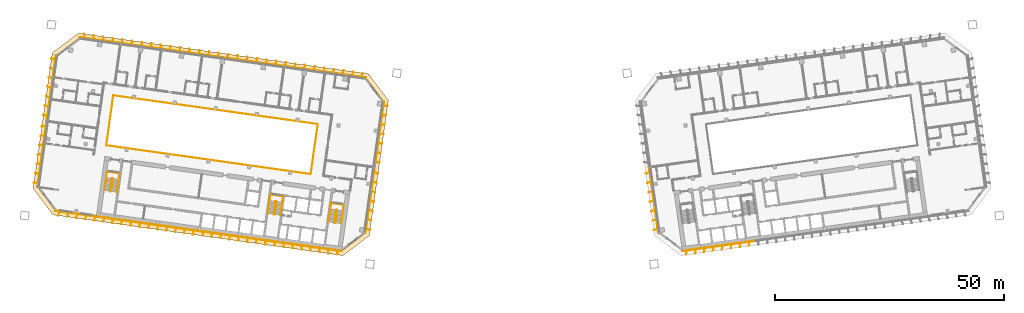
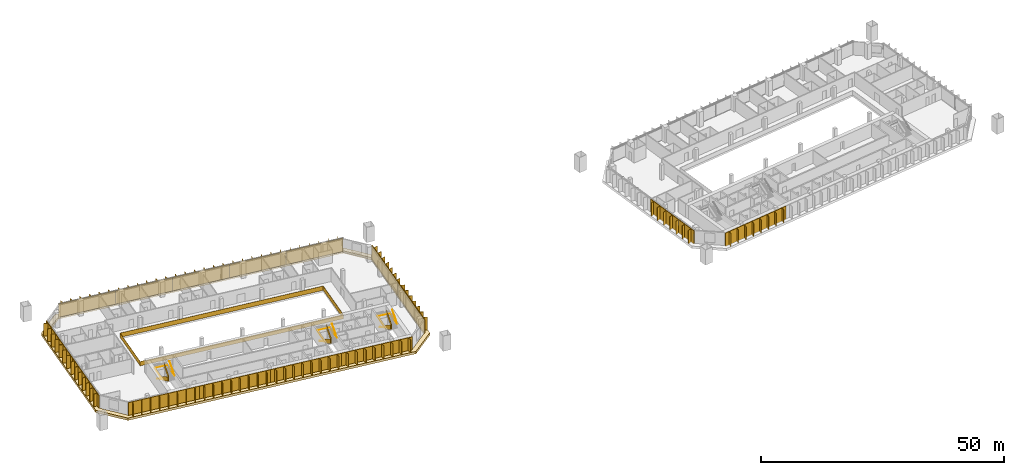
# One storey, part 23 of 24: 15 shading devices, 7 railings, 1 covering.
"""IFC4 building model written with IfcOpenShell, lengths in metres."""

from ifc_helpers import new_model, si_unit, direction, frame, origin, origin_2d, place, context, subcontext, project, spatial, polyline, rectangle, outline, extrude, material, layer, layer_set, type_object, element, save


model = new_model("IFC4")

# Units and contexts
model_context = context("Model", 3, precision=1e-05, world=origin(), true_north=direction((0.0, 1.0)))
body_context = subcontext(model_context, "Body", "Model", "MODEL_VIEW")
ifc_project = project(units=[si_unit("LENGTHUNIT", "METRE"), si_unit("AREAUNIT", "SQUARE_METRE"), si_unit("VOLUMEUNIT", "CUBIC_METRE"), si_unit("PLANEANGLEUNIT", "RADIAN"), si_unit("MASSUNIT", "GRAM", prefix="KILO")], contexts=[model_context])

# Site, building, storey
site_placement = place(None, origin())
site = spatial("IfcSite", under=ifc_project, at=site_placement, CompositionType="ELEMENT")
building_placement = place(site_placement, origin())
building = spatial("IfcBuilding", under=site, at=building_placement, Name="Mirante Cascada Hotel Towers", CompositionType="ELEMENT")
storey_placement = place(building_placement, frame((0.0, 0.0, 81.3)))
storey = spatial("IfcBuildingStorey", under=building, at=storey_placement, Name="L17", CompositionType="ELEMENT", Elevation=81.3)

# Railing
ifc_material_1 = material(Name="Toughened glass with stainless steel handrail", Category="steel")
railing_type_1 = type_object("IfcRailingType", Name="Atrium guard 1100 glass balustrade", PredefinedType="GUARDRAIL", material=ifc_material_1)
railing_1_placement = place(storey_placement, frame((-43.8418, -3.4881, 0.0)))
element("IfcRailing", 1, at=railing_1_placement, inside=storey, type_object=railing_type_1, Name="GUARD 1-L17-1", PredefinedType="GUARDRAIL", context=body_context, shape_type="SweptSolid", body=[
    extrude(rectangle(XDim=0.048, YDim=0.048, at=origin_2d()), frame((0.0, 0.0, 1.076), z_axis=(-0.9902681, 0.1391732, 0.0), x_axis=(-0.1391732, -0.9902681, 0.0)), (0.0, 0.0, 1.0), 45.0),
    extrude(rectangle(XDim=0.02, YDim=1.052, at=origin_2d()), frame((0.0, 0.0, 0.526), z_axis=(-0.9902681, 0.1391732, 0.0), x_axis=(-0.1391732, -0.9902681, 0.0)), (0.0, 0.0, 1.0), 45.0),
    extrude(rectangle(XDim=0.048, YDim=0.048, at=origin_2d()), frame((-44.5621, 6.2628, 1.076), z_axis=(0.1391721, 0.9902682, 0.0), x_axis=(-0.9902682, 0.1391721, 0.0)), (0.0, 0.0, 1.0), 11.0001),
    extrude(rectangle(XDim=0.02, YDim=1.052, at=origin_2d()), frame((-44.5621, 6.2628, 0.526), z_axis=(0.1391721, 0.9902682, 0.0), x_axis=(-0.9902682, 0.1391721, 0.0)), (0.0, 0.0, 1.0), 11.0001),
    extrude(rectangle(XDim=0.048, YDim=0.048, at=origin_2d()), frame((-43.0312, 17.1558, 1.076), z_axis=(0.9902681, -0.1391732, 0.0), x_axis=(0.1391732, 0.9902681, 0.0)), (0.0, 0.0, 1.0), 45.0),
    extrude(rectangle(XDim=0.02, YDim=1.052, at=origin_2d()), frame((-43.0312, 17.1558, 0.526), z_axis=(0.9902681, -0.1391732, 0.0), x_axis=(0.1391732, 0.9902681, 0.0)), (0.0, 0.0, 1.0), 45.0),
    extrude(rectangle(XDim=0.048, YDim=0.048, at=origin_2d()), frame((1.5309, 10.893, 1.076), z_axis=(-0.1391721, -0.9902682, 0.0), x_axis=(0.9902682, -0.1391721, 0.0)), (0.0, 0.0, 1.0), 11.0001),
    extrude(rectangle(XDim=0.02, YDim=1.052, at=origin_2d()), frame((1.5309, 10.893, 0.526), z_axis=(-0.1391721, -0.9902682, 0.0), x_axis=(0.9902682, -0.1391721, 0.0)), (0.0, 0.0, 1.0), 11.0001),
])

# Covering
ifc_material_2 = material(Name="Precast concrete C40/50 white", Category="concrete")
ifc_layer = layer(ifc_material_2, 0.6)
ifc_layer_set = layer_set([ifc_layer], Name="Precast concrete SUNSHADE band 1000x600")
covering_type = type_object("IfcCoveringType", Name="Precast concrete SUNSHADE band 1000x600", PredefinedType="CLADDING", material=ifc_layer_set)
covering_placement = place(storey_placement, frame((0.0, 0.0, -0.45)))
element("IfcCovering", 2, at=covering_placement, inside=storey, type_object=covering_type, Name="Precast concrete SUNSHADE band T1 L17", PredefinedType="CLADDING", context=body_context, shape_type="SweptSolid", body=[
    extrude(outline(polyline([(-104.3652, -6.6094), (-100.2139, 22.9287), (-94.4698, 27.2572), (-31.2626, 18.374), (-26.9341, 12.6299), (-31.0854, -16.9082), (-36.8295, -21.2367), (-100.0367, -12.3535), (-104.3652, -6.6094)]), holes=[polyline([(-27.982, 12.3589), (-31.8119, 17.4414), (-94.1988, 26.2093), (-99.2813, 22.3794), (-103.3173, -6.3384), (-99.4874, -11.4209), (-37.1005, -20.1888), (-32.018, -16.3589), (-27.982, 12.3589)])]), origin(), (0.0, 0.0, 1.0), 0.6),
])

# Railings
ifc_material_3 = material(Name="Painted steel", Category="steel")
railing_type_2 = type_object("IfcRailingType", Name="Stair guard 1100 steel balustrade", PredefinedType="GUARDRAIL", material=ifc_material_3)
railing_2_placement = place(storey_placement, frame((-38.1178, -11.2603, 0.0)))
element("IfcRailing", 3, at=railing_2_placement, inside=storey, type_object=railing_type_2, Name="L17 ST1-A stair guard 1", PredefinedType="GUARDRAIL", context=body_context, shape_type="SweptSolid", body=[
    extrude(rectangle(XDim=0.048, YDim=0.048, at=origin_2d()), frame((0.0, 0.0, 1.076), z_axis=(-0.9903326, 0.1387133, 0.0), x_axis=(-0.1387133, -0.9903326, 0.0)), (0.0, 0.0, 1.0), 0.1499),
    extrude(rectangle(XDim=0.02, YDim=1.052, at=origin_2d()), frame((0.0, 0.0, 0.526), z_axis=(-0.9903326, 0.1387133, 0.0), x_axis=(-0.1387133, -0.9903326, 0.0)), (0.0, 0.0, 1.0), 0.1499),
    extrude(rectangle(XDim=0.048, YDim=0.048, at=origin_2d()), frame((-0.1485, 0.0208, 1.076), z_axis=(-0.7991505, -0.6011309, 0.0), x_axis=(0.6011309, -0.7991505, 0.0)), (0.0, 0.9254529, 0.3788627), 0.1866),
    extrude(rectangle(XDim=0.02, YDim=1.052, at=origin_2d()), frame((-0.1485, 0.0208, 0.526), z_axis=(-0.7991505, -0.6011309, 0.0), x_axis=(0.6011309, -0.7991505, 0.0)), (0.0, 0.9254529, 0.3788627), 0.1866),
    extrude(rectangle(XDim=0.048, YDim=0.048, at=origin_2d()), frame((-0.205, -0.0217, 1.2487), z_axis=(-0.139176, -0.9902677, 0.0), x_axis=(0.9902677, -0.139176, 0.0)), (0.0, 0.5250212, 0.8510891), 3.29),
    extrude(rectangle(XDim=0.02, YDim=1.052, at=origin_2d()), frame((-0.205, -0.0217, 0.6987), z_axis=(-0.139176, -0.9902677, 0.0), x_axis=(0.9902677, -0.139176, 0.0)), (0.0, 0.5250212, 0.8510891), 3.29),
    extrude(rectangle(XDim=0.048, YDim=0.048, at=origin_2d()), frame((-0.5947, -2.7945, 2.976), z_axis=(0.9270311, -0.3749843, 0.0), x_axis=(0.3749843, 0.9270311, 0.0)), (0.0, 0.0, 1.0), 0.2061),
    extrude(rectangle(XDim=0.02, YDim=1.052, at=origin_2d()), frame((-0.5947, -2.7945, 2.426), z_axis=(0.9270311, -0.3749843, 0.0), x_axis=(0.3749843, 0.9270311, 0.0)), (0.0, 0.0, 1.0), 0.2061),
    extrude(rectangle(XDim=0.048, YDim=0.048, at=origin_2d()), frame((-0.4036, -2.8718, 2.976), z_axis=(-0.9902408, 0.1393672, 0.0), x_axis=(-0.1393672, -0.9902408, 0.0)), (0.0, 0.0, 1.0), 0.15),
    extrude(rectangle(XDim=0.02, YDim=1.052, at=origin_2d()), frame((-0.4036, -2.8718, 2.426), z_axis=(-0.9902408, 0.1393672, 0.0), x_axis=(-0.1393672, -0.9902408, 0.0)), (0.0, 0.0, 1.0), 0.15),
    extrude(rectangle(XDim=0.048, YDim=0.048, at=origin_2d()), frame((-0.5521, -2.8509, 2.976), z_axis=(0.9944948, 0.1047858, 0.0), x_axis=(-0.1047858, 0.9944948, 0.0)), (0.0, 0.6422034, 0.7665343), 0.2689),
    extrude(rectangle(XDim=0.02, YDim=1.052, at=origin_2d()), frame((-0.5521, -2.8509, 2.426), z_axis=(0.9944948, 0.1047858, 0.0), x_axis=(-0.1047858, 0.9944948, 0.0)), (0.0, 0.6422034, 0.7665343), 0.2689),
    extrude(rectangle(XDim=0.048, YDim=0.048, at=origin_2d()), frame((-0.3471, -2.8293, 3.1487), z_axis=(0.139176, 0.9902677, 0.0), x_axis=(-0.9902677, 0.139176, 0.0)), (0.0, 0.5250212, 0.8510891), 3.29),
    extrude(rectangle(XDim=0.02, YDim=1.052, at=origin_2d()), frame((-0.3471, -2.8293, 2.5987), z_axis=(0.139176, 0.9902677, 0.0), x_axis=(-0.9902677, 0.139176, 0.0)), (0.0, 0.5250212, 0.8510891), 3.29),
])
railing_3_placement = place(storey_placement, frame((-51.3379, -9.4024, 0.0)))
element("IfcRailing", 4, at=railing_3_placement, inside=storey, type_object=railing_type_2, Name="L17 ST1-B stair guard 1", PredefinedType="GUARDRAIL", context=body_context, shape_type="SweptSolid", body=[
    extrude(rectangle(XDim=0.048, YDim=0.048, at=origin_2d()), frame((0.0, 0.0, 1.076), z_axis=(-0.9902408, 0.1393672, 0.0), x_axis=(-0.1393672, -0.9902408, 0.0)), (0.0, 0.0, 1.0), 0.15),
    extrude(rectangle(XDim=0.02, YDim=1.052, at=origin_2d()), frame((0.0, 0.0, 0.526), z_axis=(-0.9902408, 0.1393672, 0.0), x_axis=(-0.1393672, -0.9902408, 0.0)), (0.0, 0.0, 1.0), 0.15),
    extrude(rectangle(XDim=0.048, YDim=0.048, at=origin_2d()), frame((-0.1485, 0.0209, 1.076), z_axis=(-0.7984711, -0.6020331, 0.0), x_axis=(0.6020331, -0.7984711, 0.0)), (0.0, 0.9253398, 0.3791387), 0.1866),
    extrude(rectangle(XDim=0.02, YDim=1.052, at=origin_2d()), frame((-0.1485, 0.0209, 0.526), z_axis=(-0.7984711, -0.6020331, 0.0), x_axis=(0.6020331, -0.7984711, 0.0)), (0.0, 0.9253398, 0.3791387), 0.1866),
    extrude(rectangle(XDim=0.048, YDim=0.048, at=origin_2d()), frame((-0.205, -0.0217, 1.2487), z_axis=(-0.139181, -0.990267, 0.0), x_axis=(0.990267, -0.139181, 0.0)), (0.0, 0.5250347, 0.8510808), 3.2899),
    extrude(rectangle(XDim=0.02, YDim=1.052, at=origin_2d()), frame((-0.205, -0.0217, 0.6987), z_axis=(-0.139181, -0.990267, 0.0), x_axis=(0.990267, -0.139181, 0.0)), (0.0, 0.5250347, 0.8510808), 3.2899),
    extrude(rectangle(XDim=0.048, YDim=0.048, at=origin_2d()), frame((-0.5947, -2.7944, 2.976), z_axis=(0.9268624, -0.3754011, 0.0), x_axis=(0.3754011, 0.9268624, 0.0)), (0.0, 0.0, 1.0), 0.2062),
    extrude(rectangle(XDim=0.02, YDim=1.052, at=origin_2d()), frame((-0.5947, -2.7944, 2.426), z_axis=(0.9268624, -0.3754011, 0.0), x_axis=(0.3754011, 0.9268624, 0.0)), (0.0, 0.0, 1.0), 0.2062),
    extrude(rectangle(XDim=0.048, YDim=0.048, at=origin_2d()), frame((-0.4036, -2.8718, 2.976), z_axis=(-0.9902408, 0.1393672, 0.0), x_axis=(-0.1393672, -0.9902408, 0.0)), (0.0, 0.0, 1.0), 0.15),
    extrude(rectangle(XDim=0.02, YDim=1.052, at=origin_2d()), frame((-0.4036, -2.8718, 2.426), z_axis=(-0.9902408, 0.1393672, 0.0), x_axis=(-0.1393672, -0.9902408, 0.0)), (0.0, 0.0, 1.0), 0.15),
    extrude(rectangle(XDim=0.048, YDim=0.048, at=origin_2d()), frame((-0.5521, -2.8509, 2.976), z_axis=(0.9944441, 0.1052656, 0.0), x_axis=(-0.1052656, 0.9944441, 0.0)), (0.0, 0.6421842, 0.7665504), 0.2689),
    extrude(rectangle(XDim=0.02, YDim=1.052, at=origin_2d()), frame((-0.5521, -2.8509, 2.426), z_axis=(0.9944441, 0.1052656, 0.0), x_axis=(-0.1052656, 0.9944441, 0.0)), (0.0, 0.6421842, 0.7665504), 0.2689),
    extrude(rectangle(XDim=0.048, YDim=0.048, at=origin_2d()), frame((-0.3471, -2.8292, 3.1487), z_axis=(0.139181, 0.990267, 0.0), x_axis=(-0.990267, 0.139181, 0.0)), (0.0, 0.5250347, 0.8510808), 3.2899),
    extrude(rectangle(XDim=0.02, YDim=1.052, at=origin_2d()), frame((-0.3471, -2.8292, 2.5987), z_axis=(0.139181, 0.990267, 0.0), x_axis=(-0.990267, 0.139181, 0.0)), (0.0, 0.5250347, 0.8510808), 3.2899),
])
railing_4_placement = place(storey_placement, frame((-86.9875, -4.3922, 0.0)))
element("IfcRailing", 5, at=railing_4_placement, inside=storey, type_object=railing_type_2, Name="L17 ST1-C stair guard 1", PredefinedType="GUARDRAIL", context=body_context, shape_type="SweptSolid", body=[
    extrude(rectangle(XDim=0.048, YDim=0.048, at=origin_2d()), frame((0.0, 0.0, 1.076), z_axis=(-0.9902537, 0.1392753, 0.0), x_axis=(-0.1392753, -0.9902537, 0.0)), (0.0, 0.0, 1.0), 0.1501),
    extrude(rectangle(XDim=0.02, YDim=1.052, at=origin_2d()), frame((0.0, 0.0, 0.526), z_axis=(-0.9902537, 0.1392753, 0.0), x_axis=(-0.1392753, -0.9902537, 0.0)), (0.0, 0.0, 1.0), 0.1501),
    extrude(rectangle(XDim=0.048, YDim=0.048, at=origin_2d()), frame((-0.1486, 0.0209, 1.076), z_axis=(-0.7986386, -0.601811, 0.0), x_axis=(0.601811, -0.7986386, 0.0)), (0.0, 0.925603, 0.3784959), 0.1866),
    extrude(rectangle(XDim=0.02, YDim=1.052, at=origin_2d()), frame((-0.1486, 0.0209, 0.526), z_axis=(-0.7986386, -0.601811, 0.0), x_axis=(0.601811, -0.7986386, 0.0)), (0.0, 0.925603, 0.3784959), 0.1866),
    extrude(rectangle(XDim=0.048, YDim=0.048, at=origin_2d()), frame((-0.205, -0.0216, 1.2487), z_axis=(-0.139176, -0.9902677, 0.0), x_axis=(0.9902677, -0.139176, 0.0)), (0.0, 0.5250212, 0.8510891), 3.29),
    extrude(rectangle(XDim=0.02, YDim=1.052, at=origin_2d()), frame((-0.205, -0.0216, 0.6987), z_axis=(-0.139176, -0.9902677, 0.0), x_axis=(0.9902677, -0.139176, 0.0)), (0.0, 0.5250212, 0.8510891), 3.29),
    extrude(rectangle(XDim=0.048, YDim=0.048, at=origin_2d()), frame((-0.5947, -2.7944, 2.976), z_axis=(0.9270311, -0.3749843, 0.0), x_axis=(0.3749843, 0.9270311, 0.0)), (0.0, 0.0, 1.0), 0.2061),
    extrude(rectangle(XDim=0.02, YDim=1.052, at=origin_2d()), frame((-0.5947, -2.7944, 2.426), z_axis=(0.9270311, -0.3749843, 0.0), x_axis=(0.3749843, 0.9270311, 0.0)), (0.0, 0.0, 1.0), 0.2061),
    extrude(rectangle(XDim=0.048, YDim=0.048, at=origin_2d()), frame((-0.4036, -2.8717, 2.976), z_axis=(-0.9903454, 0.1386217, 0.0), x_axis=(-0.1386217, -0.9903454, 0.0)), (0.0, 0.0, 1.0), 0.15),
    extrude(rectangle(XDim=0.02, YDim=1.052, at=origin_2d()), frame((-0.4036, -2.8717, 2.426), z_axis=(-0.9903454, 0.1386217, 0.0), x_axis=(-0.1386217, -0.9903454, 0.0)), (0.0, 0.0, 1.0), 0.15),
    extrude(rectangle(XDim=0.048, YDim=0.048, at=origin_2d()), frame((-0.5522, -2.8509, 2.976), z_axis=(0.9944441, 0.1052656, 0.0), x_axis=(-0.1052656, 0.9944441, 0.0)), (0.0, 0.6421842, 0.7665504), 0.2689),
    extrude(rectangle(XDim=0.02, YDim=1.052, at=origin_2d()), frame((-0.5522, -2.8509, 2.426), z_axis=(0.9944441, 0.1052656, 0.0), x_axis=(-0.1052656, 0.9944441, 0.0)), (0.0, 0.6421842, 0.7665504), 0.2689),
    extrude(rectangle(XDim=0.048, YDim=0.048, at=origin_2d()), frame((-0.3472, -2.8292, 3.1487), z_axis=(0.139176, 0.9902677, 0.0), x_axis=(-0.9902677, 0.139176, 0.0)), (0.0, 0.5250212, 0.8510891), 3.29),
    extrude(rectangle(XDim=0.02, YDim=1.052, at=origin_2d()), frame((-0.3472, -2.8292, 2.5987), z_axis=(0.139176, 0.9902677, 0.0), x_axis=(-0.9902677, 0.139176, 0.0)), (0.0, 0.5250212, 0.8510891), 3.29),
])
ifc_material_4 = material(Name="Painted steel", Category="steel")
railing_type_3 = type_object("IfcRailingType", Name="Stair handrail 900 steel tube", PredefinedType="HANDRAIL", material=ifc_material_4)
railing_5_placement = place(storey_placement, frame((-39.5606, -11.1081, 0.1727)))
element("IfcRailing", 6, at=railing_5_placement, inside=storey, type_object=railing_type_3, Name="L17 ST1-A stair handrail 1", PredefinedType="HANDRAIL", context=body_context, shape_type="SweptSolid", body=[
    extrude(rectangle(XDim=0.048, YDim=0.048, at=origin_2d()), frame((0.0, 0.0, 0.876), z_axis=(-0.139181, -0.990267, 0.0), x_axis=(0.990267, -0.139181, 0.0)), (0.0, 0.5250347, 0.8510808), 3.2899),
    extrude(rectangle(XDim=0.048, YDim=0.048, at=origin_2d()), frame((-0.3897, -2.7727, 2.6033), z_axis=(0.1391707, 0.9902684, 0.0), x_axis=(-0.9902684, 0.1391707, 0.0)), (0.0, 0.0420846, 0.999114), 4.1036),
    extrude(rectangle(XDim=0.048, YDim=0.048, at=origin_2d()), frame((0.1809, 1.2874, 2.776), z_axis=(0.9902691, -0.1391657, 0.0), x_axis=(0.1391657, 0.9902691, 0.0)), (0.0, 0.0, 1.0), 2.75),
    extrude(rectangle(XDim=0.048, YDim=0.048, at=origin_2d()), frame((2.9041, 0.9047, 2.776), z_axis=(-0.1391707, -0.9902684, 0.0), x_axis=(0.9902684, -0.1391707, 0.0)), (0.0, 0.0, 1.0), 4.1),
    extrude(rectangle(XDim=0.048, YDim=0.048, at=origin_2d()), frame((2.3335, -3.1554, 2.776), z_axis=(0.139181, 0.990267, 0.0), x_axis=(-0.990267, 0.139181, 0.0)), (0.0, 0.5250347, 0.8510808), 3.2899),
])
railing_6_placement = place(storey_placement, frame((-52.7807, -9.2501, 0.1727)))
element("IfcRailing", 7, at=railing_6_placement, inside=storey, type_object=railing_type_3, Name="L17 ST1-B stair handrail 1", PredefinedType="HANDRAIL", context=body_context, shape_type="SweptSolid", body=[
    extrude(rectangle(XDim=0.048, YDim=0.048, at=origin_2d()), frame((0.0, 0.0, 0.876), z_axis=(-0.139181, -0.990267, 0.0), x_axis=(0.990267, -0.139181, 0.0)), (0.0, 0.5250347, 0.8510808), 3.2899),
    extrude(rectangle(XDim=0.048, YDim=0.048, at=origin_2d()), frame((-0.3897, -2.7727, 2.6033), z_axis=(0.1391707, 0.9902684, 0.0), x_axis=(-0.9902684, 0.1391707, 0.0)), (0.0, 0.0420846, 0.999114), 4.1036),
    extrude(rectangle(XDim=0.048, YDim=0.048, at=origin_2d()), frame((0.1809, 1.2874, 2.776), z_axis=(0.9902641, -0.1392013, 0.0), x_axis=(0.1392013, 0.9902641, 0.0)), (0.0, 0.0, 1.0), 2.75),
    extrude(rectangle(XDim=0.048, YDim=0.048, at=origin_2d()), frame((2.9041, 0.9046, 2.776), z_axis=(-0.1391707, -0.9902684, 0.0), x_axis=(0.9902684, -0.1391707, 0.0)), (0.0, 0.0, 1.0), 4.1),
    extrude(rectangle(XDim=0.048, YDim=0.048, at=origin_2d()), frame((2.3335, -3.1555, 2.776), z_axis=(0.139176, 0.9902677, 0.0), x_axis=(-0.9902677, 0.139176, 0.0)), (0.0, 0.5250212, 0.8510891), 3.29),
])
railing_7_placement = place(storey_placement, frame((-88.4304, -4.2399, 0.1727)))
element("IfcRailing", 8, at=railing_7_placement, inside=storey, type_object=railing_type_3, Name="L17 ST1-C stair handrail 1", PredefinedType="HANDRAIL", context=body_context, shape_type="SweptSolid", body=[
    extrude(rectangle(XDim=0.048, YDim=0.048, at=origin_2d()), frame((0.0, 0.0, 0.876), z_axis=(-0.139181, -0.990267, 0.0), x_axis=(0.990267, -0.139181, 0.0)), (0.0, 0.5250347, 0.8510808), 3.2899),
    extrude(rectangle(XDim=0.048, YDim=0.048, at=origin_2d()), frame((-0.3897, -2.7727, 2.6033), z_axis=(0.1391947, 0.990265, 0.0), x_axis=(-0.990265, 0.1391947, 0.0)), (0.0, 0.0420845, 0.9991141), 4.1036),
    extrude(rectangle(XDim=0.048, YDim=0.048, at=origin_2d()), frame((0.181, 1.2874, 2.776), z_axis=(0.9902691, -0.1391657, 0.0), x_axis=(0.1391657, 0.9902691, 0.0)), (0.0, 0.0, 1.0), 2.75),
    extrude(rectangle(XDim=0.048, YDim=0.048, at=origin_2d()), frame((2.9042, 0.9047, 2.776), z_axis=(-0.1391707, -0.9902684, 0.0), x_axis=(0.9902684, -0.1391707, 0.0)), (0.0, 0.0, 1.0), 4.1),
    extrude(rectangle(XDim=0.048, YDim=0.048, at=origin_2d()), frame((2.3336, -3.1554, 2.776), z_axis=(0.139181, 0.990267, 0.0), x_axis=(-0.990267, 0.139181, 0.0)), (0.0, 0.5250347, 0.8510808), 3.2899),
])

# Shading devices
ifc_material_5 = material(Name="White precast concrete C50/60 fin", Category="concrete")
shading_device_type = type_object("IfcShadingDeviceType", Name="Vertical fin set 4500x900", PredefinedType="USERDEFINED", material=ifc_material_5)
shading_device_1_placement = place(storey_placement, origin())
element("IfcShadingDevice", 9, at=shading_device_1_placement, inside=storey, type_object=shading_device_type, Name="FIN T1 L17 front 1", ObjectType="FIN", PredefinedType="USERDEFINED", context=body_context, shape_type="SweptSolid", body=[
    extrude(outline(polyline([(-82.8173, 25.599), (-82.7126, 24.7465), (-81.7006, 24.6042), (-81.7214, 24.4557), (-94.1988, 26.2093), (-94.1779, 26.3578), (-93.1924, 26.2193), (-93.2945, 27.0506), (-93.2151, 27.0603), (-93.1104, 26.2078), (-91.1129, 25.9271), (-91.2149, 26.7583), (-91.1355, 26.7681), (-91.0308, 25.9155), (-89.0333, 25.6348), (-89.1354, 26.4661), (-89.056, 26.4758), (-88.9513, 25.6233), (-86.9537, 25.3425), (-87.0558, 26.1738), (-86.9764, 26.1835), (-86.8717, 25.331), (-84.8742, 25.0503), (-84.9762, 25.8815), (-84.8968, 25.8913), (-84.7922, 25.0387), (-82.7946, 24.758), (-82.8967, 25.5893), (-82.8173, 25.599)])), origin(), (0.0, 0.0, 1.0), 3.35),
])
shading_device_2_placement = place(storey_placement, origin())
element("IfcShadingDevice", 10, at=shading_device_2_placement, inside=storey, type_object=shading_device_type, Name="FIN T1 L17 front 2", ObjectType="FIN", PredefinedType="USERDEFINED", context=body_context, shape_type="SweptSolid", body=[
    extrude(outline(polyline([(-70.2221, 23.8469), (-70.2295, 22.9921), (-69.2232, 22.8507), (-69.2441, 22.7021), (-81.7214, 24.4557), (-81.7006, 24.6042), (-80.7072, 24.4646), (-80.6999, 25.3089), (-80.6199, 25.3082), (-80.6273, 24.4534), (-78.6277, 24.1724), (-78.6203, 25.0166), (-78.5403, 25.0159), (-78.5478, 24.1611), (-76.5481, 23.8801), (-76.5407, 24.7244), (-76.4608, 24.7237), (-76.4682, 23.8689), (-74.4686, 23.5878), (-74.4612, 24.4321), (-74.3812, 24.4314), (-74.3886, 23.5766), (-72.389, 23.2956), (-72.3816, 24.1399), (-72.3016, 24.1392), (-72.3091, 23.2844), (-70.3094, 23.0033), (-70.3021, 23.8476), (-70.2221, 23.8469)])), origin(), (0.0, 0.0, 1.0), 3.35),
])
shading_device_3_placement = place(storey_placement, origin())
element("IfcShadingDevice", 11, at=shading_device_3_placement, inside=storey, type_object=shading_device_type, Name="FIN T1 L17 front 3", ObjectType="FIN", PredefinedType="USERDEFINED", context=body_context, shape_type="SweptSolid", body=[
    extrude(outline(polyline([(-57.6277, 22.0794), (-57.746, 21.2376), (-56.7458, 21.0971), (-56.7667, 20.9485), (-69.2441, 22.7021), (-69.2232, 22.8507), (-68.223, 22.7101), (-68.1047, 23.5518), (-68.0255, 23.5407), (-68.1438, 22.699), (-66.1434, 22.4178), (-66.0251, 23.2596), (-65.9459, 23.2484), (-66.0642, 22.4067), (-64.0639, 22.1256), (-63.9456, 22.9673), (-63.8664, 22.9562), (-63.9847, 22.1144), (-61.9843, 21.8333), (-61.866, 22.675), (-61.7868, 22.6639), (-61.9051, 21.8222), (-59.9048, 21.541), (-59.7865, 22.3828), (-59.7072, 22.3716), (-59.8255, 21.5299), (-57.8252, 21.2488), (-57.7069, 22.0905), (-57.6277, 22.0794)])), origin(), (0.0, 0.0, 1.0), 3.35),
])
shading_device_4_placement = place(storey_placement, origin())
element("IfcShadingDevice", 12, at=shading_device_4_placement, inside=storey, type_object=shading_device_type, Name="FIN T1 L17 front 4", ObjectType="FIN", PredefinedType="USERDEFINED", context=body_context, shape_type="SweptSolid", body=[
    extrude(outline(polyline([(-45.0361, 20.2967), (-45.2617, 19.4831), (-44.2684, 19.3435), (-44.2893, 19.195), (-56.7667, 20.9485), (-56.7458, 21.0971), (-55.7394, 20.9556), (-55.511, 21.7794), (-55.4339, 21.758), (-55.6595, 20.9444), (-53.6599, 20.6634), (-53.4314, 21.4871), (-53.3544, 21.4657), (-53.58, 20.6521), (-51.5803, 20.3711), (-51.3519, 21.1949), (-51.2748, 21.1735), (-51.5004, 20.3599), (-49.5008, 20.0789), (-49.2723, 20.9026), (-49.1952, 20.8812), (-49.4209, 20.0676), (-47.4212, 19.7866), (-47.1928, 20.6103), (-47.1157, 20.589), (-47.3413, 19.7754), (-45.3416, 19.4943), (-45.1132, 20.3181), (-45.0361, 20.2967)])), origin(), (0.0, 0.0, 1.0), 3.35),
])
shading_device_5_placement = place(storey_placement, origin())
element("IfcShadingDevice", 13, at=shading_device_5_placement, inside=storey, type_object=shading_device_type, Name="FIN T1 L17 front 5", ObjectType="FIN", PredefinedType="USERDEFINED", context=body_context, shape_type="SweptSolid", body=[
    extrude(outline(polyline([(-32.4493, 18.4994), (-32.7765, 17.7284), (-31.791, 17.5899), (-31.8119, 17.4414), (-44.2893, 19.195), (-44.2684, 19.3435), (-43.2564, 19.2013), (-42.9208, 19.9919), (-42.8471, 19.9607), (-43.1744, 19.1897), (-41.1768, 18.909), (-40.8412, 19.6997), (-40.7676, 19.6684), (-41.0948, 18.8975), (-39.0973, 18.6167), (-38.7616, 19.4074), (-38.688, 19.3761), (-39.0152, 18.6052), (-37.0177, 18.3245), (-36.6821, 19.1151), (-36.6084, 19.0839), (-36.9357, 18.3129), (-34.9381, 18.0322), (-34.6025, 18.8229), (-34.5289, 18.7916), (-34.8561, 18.0207), (-32.8586, 17.7399), (-32.5229, 18.5306), (-32.4493, 18.4994)])), origin(), (0.0, 0.0, 1.0), 3.35),
])
shading_device_6_placement = place(storey_placement, origin())
element("IfcShadingDevice", 14, at=shading_device_6_placement, inside=storey, type_object=shading_device_type, Name="FIN T1 L17 inner 1", ObjectType="FIN", PredefinedType="USERDEFINED", context=body_context, shape_type="SweptSolid", body=[
    extrude(outline(polyline([(-29.7112, -1.023), (-29.8515, -2.0209), (-30.0, -2.0), (-27.982, 12.3589), (-27.8334, 12.338), (-27.97, 11.3667), (-27.1387, 11.4687), (-27.1289, 11.3893), (-27.9815, 11.2846), (-28.2583, 9.3154), (-27.427, 9.4174), (-27.4172, 9.338), (-28.2698, 9.2334), (-28.5465, 7.2641), (-27.7153, 7.3662), (-27.7055, 7.2868), (-28.5581, 7.1821), (-28.8348, 5.2128), (-28.0036, 5.3149), (-27.9938, 5.2355), (-28.8464, 5.1308), (-29.1231, 3.1616), (-28.2918, 3.2636), (-28.2821, 3.1842), (-29.1346, 3.0796), (-29.4114, 1.1103), (-28.5801, 1.2124), (-28.5704, 1.133), (-29.4229, 1.0283), (-29.6997, -0.941), (-28.8684, -0.8389), (-28.8587, -0.9183), (-29.7112, -1.023)])), origin(), (0.0, 0.0, 1.0), 3.35),
])
shading_device_7_placement = place(storey_placement, origin())
element("IfcShadingDevice", 15, at=shading_device_7_placement, inside=storey, type_object=shading_device_type, Name="FIN T1 L17 inner 2", ObjectType="FIN", PredefinedType="USERDEFINED", context=body_context, shape_type="SweptSolid", body=[
    extrude(outline(polyline([(-31.733, -15.4084), (-31.8695, -16.3798), (-32.018, -16.3589), (-30.0, -2.0), (-29.8515, -2.0209), (-29.9917, -3.0188), (-29.201, -3.3544), (-29.2323, -3.428), (-30.0032, -3.1008), (-30.28, -5.07), (-29.4893, -5.4057), (-29.5206, -5.4793), (-30.2915, -5.1521), (-30.5683, -7.1213), (-29.7776, -7.4569), (-29.8089, -7.5306), (-30.5798, -7.2033), (-30.8566, -9.1726), (-30.0659, -9.5082), (-30.0972, -9.5818), (-30.8681, -9.2546), (-31.1449, -11.2238), (-30.3542, -11.5595), (-30.3854, -11.6331), (-31.1564, -11.3059), (-31.4331, -13.2751), (-30.6425, -13.6107), (-30.6737, -13.6844), (-31.4447, -13.3571), (-31.7214, -15.3264), (-30.9308, -15.662), (-30.962, -15.7356), (-31.733, -15.4084)])), origin(), (0.0, 0.0, 1.0), 3.35),
])
shading_device_8_placement = place(storey_placement, origin())
element("IfcShadingDevice", 16, at=shading_device_8_placement, inside=storey, type_object=shading_device_type, Name="FIN T1 L17 outer 1", ObjectType="FIN", PredefinedType="USERDEFINED", context=body_context, shape_type="SweptSolid", body=[
    extrude(outline(polyline([(-103.3178, -5.2642), (-103.041, -3.2949), (-103.8723, -3.397), (-103.8821, -3.3176), (-103.0295, -3.2129), (-102.7528, -1.2436), (-103.584, -1.3457), (-103.5938, -1.2663), (-102.7412, -1.1616), (-102.4645, 0.8076), (-103.2957, 0.7056), (-103.3055, 0.785), (-102.4529, 0.8896), (-102.1762, 2.8589), (-103.0075, 2.7568), (-103.0172, 2.8362), (-102.1647, 2.9409), (-101.8879, 4.9102), (-102.7192, 4.8081), (-102.7289, 4.8875), (-101.8764, 4.9922), (-101.5996, 6.9614), (-102.4309, 6.8594), (-102.4406, 6.9388), (-101.5881, 7.0434), (-101.4478, 8.0413), (-101.2993, 8.0205), (-103.3173, -6.3384), (-103.4659, -6.3175), (-103.3293, -5.3462), (-104.1606, -5.4483), (-104.1704, -5.3689), (-103.3178, -5.2642)])), origin(), (0.0, 0.0, 1.0), 3.35),
])
shading_device_9_placement = place(storey_placement, origin())
element("IfcShadingDevice", 17, at=shading_device_9_placement, inside=storey, type_object=shading_device_type, Name="FIN T1 L17 outer 2", ObjectType="FIN", PredefinedType="USERDEFINED", context=body_context, shape_type="SweptSolid", body=[
    extrude(outline(polyline([(-101.2961, 9.1212), (-101.0193, 11.0905), (-101.81, 11.4261), (-101.7787, 11.4998), (-101.0078, 11.1725), (-100.731, 13.1418), (-101.5217, 13.4774), (-101.4904, 13.551), (-100.7195, 13.2238), (-100.4427, 15.193), (-101.2334, 15.5287), (-101.2021, 15.6023), (-100.4312, 15.2751), (-100.1544, 17.2443), (-100.9451, 17.5799), (-100.9139, 17.6536), (-100.1429, 17.3263), (-99.8662, 19.2956), (-100.6568, 19.6312), (-100.6256, 19.7048), (-99.8546, 19.3776), (-99.5779, 21.3469), (-100.3685, 21.6825), (-100.3373, 21.7561), (-99.5663, 21.4289), (-99.4298, 22.4002), (-99.2813, 22.3794), (-101.2993, 8.0205), (-101.4478, 8.0413), (-101.3076, 9.0392), (-102.0983, 9.3749), (-102.067, 9.4485), (-101.2961, 9.1212)])), origin(), (0.0, 0.0, 1.0), 3.35),
])
shading_device_10_placement = place(storey_placement, origin())
element("IfcShadingDevice", 18, at=shading_device_10_placement, inside=storey, type_object=shading_device_type, Name="FIN T1 L17 rear 1", ObjectType="FIN", PredefinedType="USERDEFINED", context=body_context, shape_type="SweptSolid", body=[
    extrude(outline(polyline([(-38.1239, -20.1965), (-39.9915, -19.934), (-39.8894, -20.7653), (-39.9688, -20.775), (-40.0735, -19.9225), (-41.9411, -19.66), (-41.839, -20.4913), (-41.9184, -20.501), (-42.0231, -19.6485), (-43.8907, -19.386), (-43.7886, -20.2173), (-43.868, -20.227), (-43.9727, -19.3745), (-45.8403, -19.112), (-45.7382, -19.9433), (-45.8176, -19.953), (-45.9223, -19.1005), (-47.7898, -18.838), (-47.6878, -19.6693), (-47.7672, -19.679), (-47.8719, -18.8265), (-49.7394, -18.564), (-49.6374, -19.3953), (-49.7168, -19.405), (-49.8214, -18.5525), (-51.689, -18.29), (-51.587, -19.1213), (-51.6664, -19.131), (-51.771, -18.2785), (-52.7181, -18.1454), (-52.6972, -17.9968), (-37.1005, -20.1888), (-37.1214, -20.3374), (-38.0419, -20.208), (-37.9398, -21.0393), (-38.0192, -21.049), (-38.1239, -20.1965)])), origin(), (0.0, 0.0, 1.0), 3.35),
])
shading_device_11_placement = place(storey_placement, origin())
element("IfcShadingDevice", 19, at=shading_device_11_placement, inside=storey, type_object=shading_device_type, Name="FIN T1 L17 rear 2", ObjectType="FIN", PredefinedType="USERDEFINED", context=body_context, shape_type="SweptSolid", body=[
    extrude(outline(polyline([(-53.7283, -18.0034), (-55.5984, -17.7406), (-55.6427, -18.5857), (-55.7226, -18.5815), (-55.6779, -17.7294), (-57.548, -17.4666), (-57.5923, -18.3117), (-57.6722, -18.3075), (-57.6275, -17.4554), (-59.4976, -17.1926), (-59.5419, -18.0377), (-59.6217, -18.0335), (-59.5771, -17.1814), (-61.4472, -16.9186), (-61.4914, -17.7637), (-61.5713, -17.7596), (-61.5267, -16.9074), (-63.3967, -16.6446), (-63.441, -17.4897), (-63.5209, -17.4856), (-63.4763, -16.6334), (-65.3463, -16.3706), (-65.3906, -17.2157), (-65.4705, -17.2116), (-65.4259, -16.3594), (-67.2959, -16.0966), (-67.3402, -16.9417), (-67.4201, -16.9376), (-67.3755, -16.0854), (-68.3148, -15.9534), (-68.2939, -15.8049), (-52.6972, -17.9968), (-52.7181, -18.1454), (-53.6488, -18.0146), (-53.6931, -18.8597), (-53.773, -18.8555), (-53.7283, -18.0034)])), origin(), (0.0, 0.0, 1.0), 3.35),
])
shading_device_12_placement = place(storey_placement, origin())
element("IfcShadingDevice", 20, at=shading_device_12_placement, inside=storey, type_object=shading_device_type, Name="FIN T1 L17 rear 3", ObjectType="FIN", PredefinedType="USERDEFINED", context=body_context, shape_type="SweptSolid", body=[
    extrude(outline(polyline([(-69.3337, -15.8102), (-71.2038, -15.5474), (-71.3957, -16.3788), (-71.4737, -16.3608), (-71.2833, -15.5362), (-73.1534, -15.2734), (-73.3453, -16.1048), (-73.4233, -16.0868), (-73.2329, -15.2622), (-75.103, -14.9994), (-75.2949, -15.8308), (-75.3729, -15.8128), (-75.1825, -14.9882), (-77.0525, -14.7254), (-77.2445, -15.5568), (-77.3224, -15.5388), (-77.1321, -14.7142), (-79.0021, -14.4514), (-79.1941, -15.2828), (-79.272, -15.2648), (-79.0817, -14.4402), (-80.9517, -14.1774), (-81.1437, -15.0088), (-81.2216, -14.9908), (-81.0312, -14.1662), (-82.9013, -13.9034), (-83.0933, -14.7348), (-83.1712, -14.7168), (-82.9808, -13.8922), (-83.9115, -13.7614), (-83.8907, -13.6129), (-68.2939, -15.8049), (-68.3148, -15.9534), (-69.2542, -15.8214), (-69.4461, -16.6528), (-69.5241, -16.6348), (-69.3337, -15.8102)])), origin(), (0.0, 0.0, 1.0), 3.35),
])
shading_device_13_placement = place(storey_placement, origin())
element("IfcShadingDevice", 21, at=shading_device_13_placement, inside=storey, type_object=shading_device_type, Name="FIN T1 L17 rear 4", ObjectType="FIN", PredefinedType="USERDEFINED", context=body_context, shape_type="SweptSolid", body=[
    extrude(outline(polyline([(-84.9406, -13.6168), (-86.8082, -13.3543), (-87.1438, -14.145), (-87.2174, -14.1137), (-86.8902, -13.3428), (-88.7578, -13.0803), (-89.0934, -13.871), (-89.167, -13.8397), (-88.8398, -13.0688), (-90.7074, -12.8063), (-91.043, -13.597), (-91.1166, -13.5657), (-90.7894, -12.7948), (-92.657, -12.5323), (-92.9926, -13.323), (-93.0662, -13.2918), (-92.739, -12.5208), (-94.6065, -12.2583), (-94.9422, -13.049), (-95.0158, -13.0178), (-94.6886, -12.2468), (-96.5561, -11.9843), (-96.8918, -12.775), (-96.9654, -12.7438), (-96.6381, -11.9728), (-98.5057, -11.7103), (-98.8413, -12.501), (-98.915, -12.4698), (-98.5877, -11.6988), (-99.5083, -11.5694), (-99.4874, -11.4209), (-83.8907, -13.6129), (-83.9115, -13.7614), (-84.8586, -13.6283), (-85.1942, -14.419), (-85.2679, -14.3877), (-84.9406, -13.6168)])), origin(), (0.0, 0.0, 1.0), 3.35),
])
shading_device_14_placement = place(storey_placement, origin())
element("IfcShadingDevice", 22, at=shading_device_14_placement, inside=storey, type_object=shading_device_type, Name="FIN T2 L17 inner 2", ObjectType="FIN", PredefinedType="USERDEFINED", context=body_context, shape_type="SweptSolid", body=[
    extrude(outline(polyline([(30.9308, -15.662), (31.7214, -15.3264), (31.4447, -13.3571), (30.6737, -13.6844), (30.6425, -13.6107), (31.4331, -13.2751), (31.1564, -11.3059), (30.3854, -11.6331), (30.3542, -11.5595), (31.1449, -11.2238), (30.8681, -9.2546), (30.0972, -9.5818), (30.0659, -9.5082), (30.8566, -9.1726), (30.5798, -7.2033), (29.8089, -7.5306), (29.7776, -7.4569), (30.5683, -7.1213), (30.2915, -5.1521), (29.5206, -5.4793), (29.4893, -5.4057), (30.28, -5.07), (30.0032, -3.1008), (29.2323, -3.428), (29.201, -3.3544), (29.9917, -3.0188), (29.8515, -2.0209), (30.0, -2.0), (32.018, -16.3589), (31.8695, -16.3798), (31.733, -15.4084), (30.962, -15.7356), (30.9308, -15.662)])), origin(), (0.0, 0.0, 1.0), 3.35),
])
shading_device_15_placement = place(storey_placement, origin())
element("IfcShadingDevice", 23, at=shading_device_15_placement, inside=storey, type_object=shading_device_type, Name="FIN T2 L17 rear 1", ObjectType="FIN", PredefinedType="USERDEFINED", context=body_context, shape_type="SweptSolid", body=[
    extrude(outline(polyline([(37.9398, -21.0393), (38.0419, -20.208), (37.1214, -20.3374), (37.1005, -20.1888), (52.6972, -17.9968), (52.7181, -18.1454), (51.771, -18.2785), (51.6664, -19.131), (51.587, -19.1213), (51.689, -18.29), (49.8214, -18.5525), (49.7168, -19.405), (49.6374, -19.3953), (49.7394, -18.564), (47.8719, -18.8265), (47.7672, -19.679), (47.6878, -19.6693), (47.7898, -18.838), (45.9223, -19.1005), (45.8176, -19.953), (45.7382, -19.9433), (45.8403, -19.112), (43.9727, -19.3745), (43.868, -20.227), (43.7886, -20.2173), (43.8907, -19.386), (42.0231, -19.6485), (41.9184, -20.501), (41.839, -20.4913), (41.9411, -19.66), (40.0735, -19.9225), (39.9688, -20.775), (39.8894, -20.7653), (39.9915, -19.934), (38.1239, -20.1965), (38.0192, -21.049), (37.9398, -21.0393)])), origin(), (0.0, 0.0, 1.0), 3.35),
])

save(model, "model.ifc")
